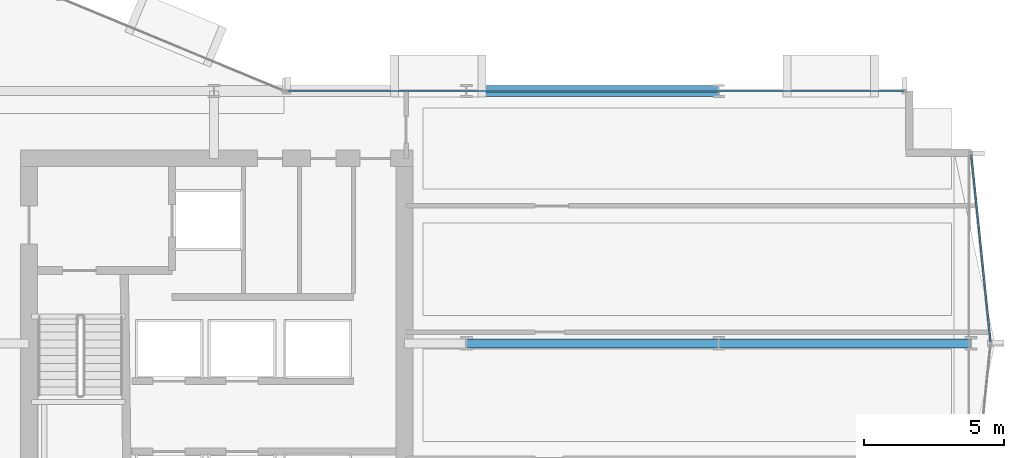
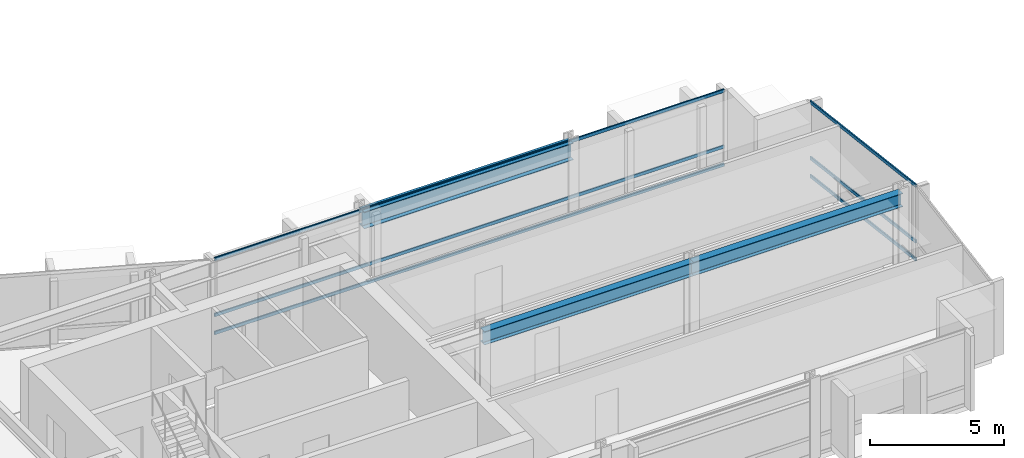
# One storey, part 16 of 34: 6 members, 3 beams, 2 elements without a shape of their own.
"""IFC4 building model written with IfcOpenShell, lengths in metres."""

from ifc_helpers import new_model, si_unit, direction, frame, origin, origin_2d, place, context, subcontext, project, spatial, hollow_rectangle, i_section, extrude, material, layer, layer_set, material_profile, profile_set, type_object, element, aggregate, save


model = new_model("IFC4")

# Units and contexts
model_context = context("Model", 3, precision=1e-05, world=origin(), true_north=direction((0.0, 1.0)))
body_context = subcontext(model_context, "Body", "Model", "MODEL_VIEW")
ifc_project = project(units=[si_unit("LENGTHUNIT", "METRE"), si_unit("AREAUNIT", "SQUARE_METRE"), si_unit("VOLUMEUNIT", "CUBIC_METRE"), si_unit("PLANEANGLEUNIT", "RADIAN"), si_unit("MASSUNIT", "GRAM", prefix="KILO")], contexts=[model_context])

# Site, building, storey
site_placement = place(None, origin())
site = spatial("IfcSite", under=ifc_project, at=site_placement, CompositionType="ELEMENT")
building_placement = place(site_placement, origin())
building = spatial("IfcBuilding", under=site, at=building_placement, Name="Solvaryn Broadcast Tower", CompositionType="ELEMENT")
storey_placement = place(building_placement, frame((0.0, 0.0, 92.800048828125)))
storey = spatial("IfcBuildingStorey", under=building, at=storey_placement, Name="L22", CompositionType="ELEMENT", Elevation=92.800048828125)

# Beams
ifc_material_1 = material(Name="Steel ASTM A992 Grade 50", Category="steel")
ifc_material_profile_1 = material_profile(ifc_material_1, i_section(OverallWidth=0.323974609375, OverallDepth=0.611083984375, WebThickness=0.0126953125, FlangeThickness=0.01904296875, FilletRadius=0.014892578125, at=origin_2d()))
ifc_profile_set_1 = profile_set([ifc_material_profile_1], Name="Steel ASTM A992 Grade 50")
beam_type_1 = type_object("IfcBeamType", Name="BM-B1-W24X104", PredefinedType="BEAM", material=ifc_profile_set_1)
for number, where, z_axis, x_axis, name in (
    (1, (45.0, 18.0, 3.114501953125), (1.0, 0.0, 0.0), (0.0, 1.0, 0.0), "L22 Primary Beam X (45-54 @ Y=18)"),
    (2, (54.0, 18.0, 3.114501953125), (1.0, 0.0, 0.0), (0.0, 1.0, 0.0), "L22 Primary Beam X (54-63 @ Y=18)"),
):
    element("IfcBeam", number, at=place(storey_placement, frame(where, z_axis=z_axis, x_axis=x_axis)), inside=storey, type_object=beam_type_1, Name=name, PredefinedType="BEAM", context=body_context, shape_type="SweptSolid", body=[
        extrude(i_section(OverallWidth=0.323974609375, OverallDepth=0.611083984375, WebThickness=0.0126953125, FlangeThickness=0.01904296875, FilletRadius=0.014892578125, at=origin_2d()), origin(), (0.0, 0.0, 1.0), 9.0),
    ])
ifc_material_2 = material(Name="Steel ASTM A992 Grade 50", Category="steel")
ifc_material_profile_2 = material_profile(ifc_material_2, i_section(OverallWidth=0.381103515625, OverallDepth=0.77294921875, WebThickness=0.0166015625, FlangeThickness=0.027099609375, FilletRadius=0.01806640625, at=origin_2d()))
ifc_profile_set_2 = profile_set([ifc_material_profile_2], Name="Steel ASTM A992 Grade 50")
beam_type_2 = type_object("IfcBeamType", Name="BM-SP1-W30X173", PredefinedType="USERDEFINED", material=ifc_profile_set_2)
beam_placement = place(storey_placement, frame((45.0, 27.0, 3.033447265625), z_axis=(1.0, 0.0, 0.0), x_axis=(0.0, 1.0, 0.0)))
element("IfcBeam", 3, at=beam_placement, inside=storey, type_object=beam_type_2, Name="L22 Spandrel Beam X (45-54 @ Y=27)", ObjectType="SPANDREL", PredefinedType="USERDEFINED", context=body_context, shape_type="SweptSolid", body=[
    extrude(i_section(OverallWidth=0.381103515625, OverallDepth=0.77294921875, WebThickness=0.0166015625, FlangeThickness=0.027099609375, FilletRadius=0.01806640625, at=origin_2d()), origin(), (0.0, 0.0, 1.0), 9.0),
])

# Curtain wall, members
ifc_material_3 = material(Name="Aluminium and Terracotta Unitised Curtain Wall", Category="masonry")
ifc_layer = layer(ifc_material_3, 0.199951171875)
ifc_layer_set = layer_set([ifc_layer], Name="CW-SYS2-LOWMID")
curtain_wall_type = type_object("IfcCurtainWallType", Name="CW-SYS2-LOWMID", PredefinedType="NOTDEFINED", material=ifc_layer_set)
curtain_wall_1_placement = place(storey_placement, origin())
curtain_wall_1 = element("IfcCurtainWall", 4, at=curtain_wall_1_placement, inside=storey, type_object=curtain_wall_type, Name="L22 Curtain Wall ET1", PredefinedType="NOTDEFINED")
ifc_material_4 = material(Name="Anodised Aluminium 6063-T6", Category="aluminium")
ifc_material_profile_3 = material_profile(ifc_material_4, hollow_rectangle(XDim=0.06494140625, YDim=0.14990234375, WallThickness=0.00390625, InnerFilletRadius=0.00390625, OuterFilletRadius=0.008056640625, at=origin_2d()))
ifc_profile_set_3 = profile_set([ifc_material_profile_3], Name="Anodised Aluminium 6063-T6")
member_type = type_object("IfcMemberType", Name="CW-TRN-150", PredefinedType="USERDEFINED", material=ifc_profile_set_3)
member_1_placement = place(storey_placement, frame((63.006103515625, 24.740234375, 0.030029296875), z_axis=(0.102404277363, -0.994742863245, 0.0), x_axis=(0.994742863245, 0.102404277363, 0.0)))
member_1 = element("IfcMember", 5, at=member_1_placement, type_object=member_type, Name="CWS2 transom 1.1", ObjectType="TRANSOM", PredefinedType="USERDEFINED", context=body_context, shape_type="SweptSolid", body=[
    extrude(hollow_rectangle(XDim=0.06494140625, YDim=0.14990234375, WallThickness=0.00390625, InnerFilletRadius=0.00390625, OuterFilletRadius=0.008056640625, at=origin_2d()), origin(), (0.0, 0.0, 1.0), 6.716064453125),
])
member_2_placement = place(storey_placement, frame((63.006103515625, 24.740234375, 0.849853515625), z_axis=(0.102404277363, -0.994742863245, 0.0), x_axis=(0.994742863245, 0.102404277363, 0.0)))
member_2 = element("IfcMember", 6, at=member_2_placement, type_object=member_type, Name="CWS2 transom 1.2", ObjectType="TRANSOM", PredefinedType="USERDEFINED", context=body_context, shape_type="SweptSolid", body=[
    extrude(hollow_rectangle(XDim=0.06494140625, YDim=0.14990234375, WallThickness=0.00390625, InnerFilletRadius=0.00390625, OuterFilletRadius=0.008056640625, at=origin_2d()), origin(), (0.0, 0.0, 1.0), 6.716064453125),
])
member_3_placement = place(storey_placement, frame((63.006103515625, 24.740234375, 3.389892578125), z_axis=(0.102404277363, -0.994742863245, 0.0), x_axis=(0.994742863245, 0.102404277363, 0.0)))
member_3 = element("IfcMember", 7, at=member_3_placement, type_object=member_type, Name="CWS2 transom 1.3", ObjectType="TRANSOM", PredefinedType="USERDEFINED", context=body_context, shape_type="SweptSolid", body=[
    extrude(hollow_rectangle(XDim=0.06494140625, YDim=0.14990234375, WallThickness=0.00390625, InnerFilletRadius=0.00390625, OuterFilletRadius=0.008056640625, at=origin_2d()), origin(), (0.0, 0.0, 1.0), 6.716064453125),
])
aggregate(curtain_wall_1, [member_1, member_2, member_3])

curtain_wall_2_placement = place(storey_placement, origin())
curtain_wall_2 = element("IfcCurtainWall", 8, at=curtain_wall_2_placement, inside=storey, type_object=curtain_wall_type, Name="L22 Curtain Wall IH", PredefinedType="NOTDEFINED")
member_4_placement = place(storey_placement, frame((38.659912109375, 27.0, 0.030029296875), z_axis=(1.0, 0.0, 0.0), x_axis=(0.0, 1.0, 0.0)))
member_4 = element("IfcMember", 9, at=member_4_placement, type_object=member_type, Name="CWS2 transom 1.1", ObjectType="TRANSOM", PredefinedType="USERDEFINED", context=body_context, shape_type="SweptSolid", body=[
    extrude(hollow_rectangle(XDim=0.06494140625, YDim=0.14990234375, WallThickness=0.00390625, InnerFilletRadius=0.00390625, OuterFilletRadius=0.008056640625, at=origin_2d()), origin(), (0.0, 0.0, 1.0), 21.93017578125),
])
member_5_placement = place(storey_placement, frame((38.659912109375, 27.0, 0.849853515625), z_axis=(1.0, 0.0, 0.0), x_axis=(0.0, 1.0, 0.0)))
member_5 = element("IfcMember", 10, at=member_5_placement, type_object=member_type, Name="CWS2 transom 1.2", ObjectType="TRANSOM", PredefinedType="USERDEFINED", context=body_context, shape_type="SweptSolid", body=[
    extrude(hollow_rectangle(XDim=0.06494140625, YDim=0.14990234375, WallThickness=0.00390625, InnerFilletRadius=0.00390625, OuterFilletRadius=0.008056640625, at=origin_2d()), origin(), (0.0, 0.0, 1.0), 21.93017578125),
])
member_6_placement = place(storey_placement, frame((38.659912109375, 27.0, 3.389892578125), z_axis=(1.0, 0.0, 0.0), x_axis=(0.0, 1.0, 0.0)))
member_6 = element("IfcMember", 11, at=member_6_placement, type_object=member_type, Name="CWS2 transom 1.3", ObjectType="TRANSOM", PredefinedType="USERDEFINED", context=body_context, shape_type="SweptSolid", body=[
    extrude(hollow_rectangle(XDim=0.06494140625, YDim=0.14990234375, WallThickness=0.00390625, InnerFilletRadius=0.00390625, OuterFilletRadius=0.008056640625, at=origin_2d()), origin(), (0.0, 0.0, 1.0), 21.93017578125),
])
aggregate(curtain_wall_2, [member_4, member_5, member_6])

save(model, "model.ifc")
